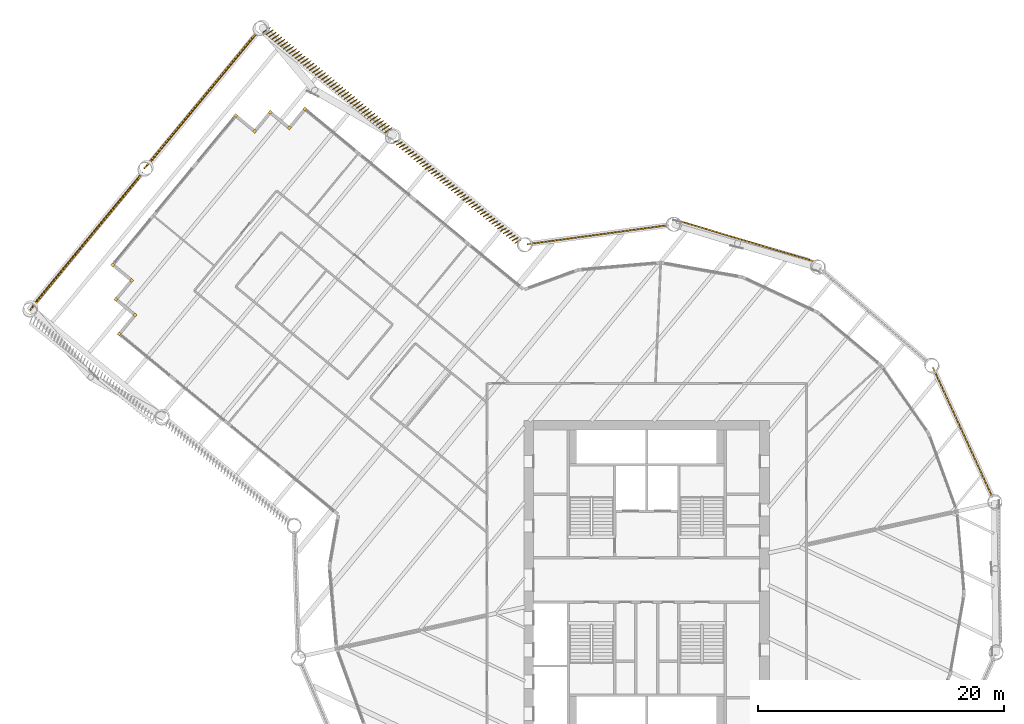
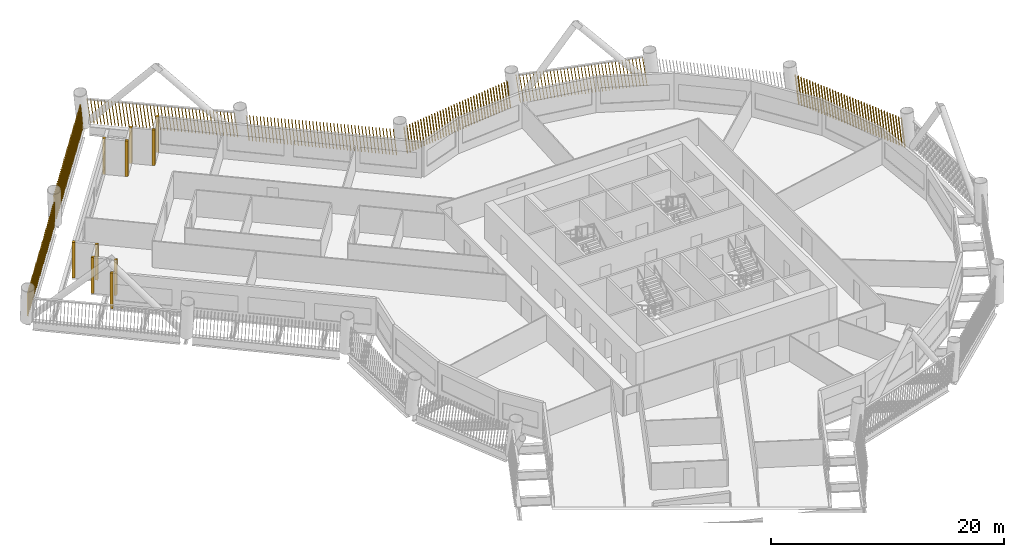
# One storey, part 20 of 22: 17 shading devices.
"""IFC4 building model written with IfcOpenShell, lengths in metres."""

from ifc_helpers import new_model, si_unit, direction, frame, frame_2d, origin, origin_2d, place, context, subcontext, project, spatial, rectangle, composite_profile, extrude, material, type_object, element, save


model = new_model("IFC4")

# Units and contexts
model_context = context("Model", 3, precision=1e-05, world=origin(), true_north=direction((0.0, 1.0)))
body_context = subcontext(model_context, "Body", "Model", "MODEL_VIEW")
ifc_project = project(units=[si_unit("LENGTHUNIT", "METRE"), si_unit("AREAUNIT", "SQUARE_METRE"), si_unit("VOLUMEUNIT", "CUBIC_METRE"), si_unit("PLANEANGLEUNIT", "RADIAN"), si_unit("MASSUNIT", "GRAM", prefix="KILO")], contexts=[model_context])

# Site, building, storey
site_placement = place(None, origin())
site = spatial("IfcSite", under=ifc_project, at=site_placement, CompositionType="ELEMENT")
building_placement = place(site_placement, origin())
building = spatial("IfcBuilding", under=site, at=building_placement, Name="Tarsis Ring Headquarters", CompositionType="ELEMENT")
storey_placement = place(building_placement, frame((0.0, 0.0, 108.39990234375)))
storey = spatial("IfcBuildingStorey", under=building, at=storey_placement, Name="L24", CompositionType="ELEMENT", Elevation=108.39990234375)

# Shading devices
ifc_material = material(Name="Terracotta baguette", Category="masonry")
shading_device_type_1 = type_object("IfcShadingDeviceType", Name="Terracotta baguette screen", PredefinedType="USERDEFINED", material=ifc_material)
shading_device_1_placement = place(storey_placement, frame((28.153564453125, 6.731689453125, 0.0), z_axis=(0.0, 0.0, 1.0), x_axis=(-0.41710255019, 0.908865979381, 0.0)))
element("IfcShadingDevice", 1, at=shading_device_1_placement, inside=storey, type_object=shading_device_type_1, Name="Baguette screen L24-11", ObjectType="Terracotta baguette screen", PredefinedType="USERDEFINED", context=body_context, shape_type="SweptSolid", body=[
    extrude(composite_profile([rectangle(XDim=0.06005859375, YDim=0.1201171875, at=frame_2d((0.030029296875, 0.0))), rectangle(XDim=0.06005859375, YDim=0.1201171875, at=frame_2d((0.33251953125, 0.0))), rectangle(XDim=0.06005859375, YDim=0.1201171875, at=frame_2d((0.634765625, 0.0))), rectangle(XDim=0.06005859375, YDim=0.1201171875, at=frame_2d((0.937255859375, 0.0))), rectangle(XDim=0.06005859375, YDim=0.1201171875, at=frame_2d((1.239501953125, 0.0))), rectangle(XDim=0.06005859375, YDim=0.1201171875, at=frame_2d((1.5419921875, 0.0))), rectangle(XDim=0.06005859375, YDim=0.1201171875, at=frame_2d((1.844482421875, 0.0))), rectangle(XDim=0.06005859375, YDim=0.1201171875, at=frame_2d((2.146728515625, 0.0))), rectangle(XDim=0.06005859375, YDim=0.1201171875, at=frame_2d((2.44921875, 0.0))), rectangle(XDim=0.06005859375, YDim=0.1201171875, at=frame_2d((2.751708984375, 0.0))), rectangle(XDim=0.06005859375, YDim=0.1201171875, at=frame_2d((3.053955078125, 0.0))), rectangle(XDim=0.06005859375, YDim=0.1201171875, at=frame_2d((3.3564453125, 0.0))), rectangle(XDim=0.06005859375, YDim=0.1201171875, at=frame_2d((3.65869140625, 0.0))), rectangle(XDim=0.06005859375, YDim=0.1201171875, at=frame_2d((3.961181640625, 0.0))), rectangle(XDim=0.06005859375, YDim=0.1201171875, at=frame_2d((4.263671875, 0.0))), rectangle(XDim=0.06005859375, YDim=0.1201171875, at=frame_2d((4.56591796875, 0.0))), rectangle(XDim=0.06005859375, YDim=0.1201171875, at=frame_2d((4.868408203125, 0.0))), rectangle(XDim=0.06005859375, YDim=0.1201171875, at=frame_2d((5.1708984375, 0.0))), rectangle(XDim=0.06005859375, YDim=0.1201171875, at=frame_2d((5.47314453125, 0.0))), rectangle(XDim=0.06005859375, YDim=0.1201171875, at=frame_2d((5.775634765625, 0.0))), rectangle(XDim=0.06005859375, YDim=0.1201171875, at=frame_2d((6.077880859375, 0.0))), rectangle(XDim=0.06005859375, YDim=0.1201171875, at=frame_2d((6.38037109375, 0.0))), rectangle(XDim=0.06005859375, YDim=0.1201171875, at=frame_2d((6.682861328125, 0.0))), rectangle(XDim=0.06005859375, YDim=0.1201171875, at=frame_2d((6.985107421875, 0.0))), rectangle(XDim=0.06005859375, YDim=0.1201171875, at=frame_2d((7.28759765625, 0.0))), rectangle(XDim=0.06005859375, YDim=0.1201171875, at=frame_2d((7.590087890625, 0.0))), rectangle(XDim=0.06005859375, YDim=0.1201171875, at=frame_2d((7.892333984375, 0.0))), rectangle(XDim=0.06005859375, YDim=0.1201171875, at=frame_2d((8.19482421875, 0.0))), rectangle(XDim=0.06005859375, YDim=0.1201171875, at=frame_2d((8.4970703125, 0.0))), rectangle(XDim=0.06005859375, YDim=0.1201171875, at=frame_2d((8.799560546875, 0.0))), rectangle(XDim=0.06005859375, YDim=0.1201171875, at=frame_2d((9.10205078125, 0.0))), rectangle(XDim=0.06005859375, YDim=0.1201171875, at=frame_2d((9.404296875, 0.0))), rectangle(XDim=0.06005859375, YDim=0.1201171875, at=frame_2d((9.706787109375, 0.0))), rectangle(XDim=0.06005859375, YDim=0.1201171875, at=frame_2d((10.00927734375, 0.0))), rectangle(XDim=0.06005859375, YDim=0.1201171875, at=frame_2d((10.3115234375, 0.0))), rectangle(XDim=0.06005859375, YDim=0.1201171875, at=frame_2d((10.614013671875, 0.0))), rectangle(XDim=0.06005859375, YDim=0.1201171875, at=frame_2d((10.916259765625, 0.0))), rectangle(XDim=0.06005859375, YDim=0.1201171875, at=frame_2d((11.21875, 0.0)))]), origin(), (0.129810734986, 0.000882686488, 0.991538397616), 2.977783203125),
])
shading_device_2_placement = place(storey_placement, frame((13.638427734375, 25.949462890625, 0.0), z_axis=(0.0, 0.0, 1.0), x_axis=(-0.958004167028, 0.286743640941, 0.0)))
element("IfcShadingDevice", 2, at=shading_device_2_placement, inside=storey, type_object=shading_device_type_1, Name="Baguette screen L24-13", ObjectType="Terracotta baguette screen", PredefinedType="USERDEFINED", context=body_context, shape_type="SweptSolid", body=[
    extrude(composite_profile([rectangle(XDim=0.06005859375, YDim=0.1201171875, at=frame_2d((0.030029296875, 0.0))), rectangle(XDim=0.06005859375, YDim=0.1201171875, at=frame_2d((0.33251953125, 0.0))), rectangle(XDim=0.06005859375, YDim=0.1201171875, at=frame_2d((0.634765625, 0.0))), rectangle(XDim=0.06005859375, YDim=0.1201171875, at=frame_2d((0.937255859375, 0.0))), rectangle(XDim=0.06005859375, YDim=0.1201171875, at=frame_2d((1.239501953125, 0.0))), rectangle(XDim=0.06005859375, YDim=0.1201171875, at=frame_2d((1.5419921875, 0.0))), rectangle(XDim=0.06005859375, YDim=0.1201171875, at=frame_2d((1.844482421875, 0.0))), rectangle(XDim=0.06005859375, YDim=0.1201171875, at=frame_2d((2.146728515625, 0.0))), rectangle(XDim=0.06005859375, YDim=0.1201171875, at=frame_2d((2.44921875, 0.0))), rectangle(XDim=0.06005859375, YDim=0.1201171875, at=frame_2d((2.751708984375, 0.0))), rectangle(XDim=0.06005859375, YDim=0.1201171875, at=frame_2d((3.053955078125, 0.0))), rectangle(XDim=0.06005859375, YDim=0.1201171875, at=frame_2d((3.3564453125, 0.0))), rectangle(XDim=0.06005859375, YDim=0.1201171875, at=frame_2d((3.65869140625, 0.0))), rectangle(XDim=0.06005859375, YDim=0.1201171875, at=frame_2d((3.961181640625, 0.0))), rectangle(XDim=0.06005859375, YDim=0.1201171875, at=frame_2d((4.263671875, 0.0))), rectangle(XDim=0.06005859375, YDim=0.1201171875, at=frame_2d((4.56591796875, 0.0))), rectangle(XDim=0.06005859375, YDim=0.1201171875, at=frame_2d((4.868408203125, 0.0))), rectangle(XDim=0.06005859375, YDim=0.1201171875, at=frame_2d((5.1708984375, 0.0))), rectangle(XDim=0.06005859375, YDim=0.1201171875, at=frame_2d((5.47314453125, 0.0))), rectangle(XDim=0.06005859375, YDim=0.1201171875, at=frame_2d((5.775634765625, 0.0))), rectangle(XDim=0.06005859375, YDim=0.1201171875, at=frame_2d((6.077880859375, 0.0))), rectangle(XDim=0.06005859375, YDim=0.1201171875, at=frame_2d((6.38037109375, 0.0))), rectangle(XDim=0.06005859375, YDim=0.1201171875, at=frame_2d((6.682861328125, 0.0))), rectangle(XDim=0.06005859375, YDim=0.1201171875, at=frame_2d((6.985107421875, 0.0))), rectangle(XDim=0.06005859375, YDim=0.1201171875, at=frame_2d((7.28759765625, 0.0))), rectangle(XDim=0.06005859375, YDim=0.1201171875, at=frame_2d((7.590087890625, 0.0))), rectangle(XDim=0.06005859375, YDim=0.1201171875, at=frame_2d((7.892333984375, 0.0))), rectangle(XDim=0.06005859375, YDim=0.1201171875, at=frame_2d((8.19482421875, 0.0))), rectangle(XDim=0.06005859375, YDim=0.1201171875, at=frame_2d((8.4970703125, 0.0))), rectangle(XDim=0.06005859375, YDim=0.1201171875, at=frame_2d((8.799560546875, 0.0))), rectangle(XDim=0.06005859375, YDim=0.1201171875, at=frame_2d((9.10205078125, 0.0))), rectangle(XDim=0.06005859375, YDim=0.1201171875, at=frame_2d((9.404296875, 0.0))), rectangle(XDim=0.06005859375, YDim=0.1201171875, at=frame_2d((9.706787109375, 0.0))), rectangle(XDim=0.06005859375, YDim=0.1201171875, at=frame_2d((10.00927734375, 0.0))), rectangle(XDim=0.06005859375, YDim=0.1201171875, at=frame_2d((10.3115234375, 0.0))), rectangle(XDim=0.06005859375, YDim=0.1201171875, at=frame_2d((10.614013671875, 0.0))), rectangle(XDim=0.06005859375, YDim=0.1201171875, at=frame_2d((10.916259765625, 0.0))), rectangle(XDim=0.06005859375, YDim=0.1201171875, at=frame_2d((11.21875, 0.0)))]), origin(), (0.131494518158, 0.000893553069, 0.991316494999), 2.978515625),
])
shading_device_3_placement = place(storey_placement, frame((1.77978515625, 28.892333984375, 0.0), z_axis=(0.0, 0.0, 1.0), x_axis=(-0.991036353771, -0.133608247423, 0.0)))
element("IfcShadingDevice", 3, at=shading_device_3_placement, inside=storey, type_object=shading_device_type_1, Name="Baguette screen L24-14", ObjectType="Terracotta baguette screen", PredefinedType="USERDEFINED", context=body_context, shape_type="SweptSolid", body=[
    extrude(composite_profile([rectangle(XDim=0.06005859375, YDim=0.1201171875, at=frame_2d((0.030029296875, 0.0))), rectangle(XDim=0.06005859375, YDim=0.1201171875, at=frame_2d((0.33251953125, 0.0))), rectangle(XDim=0.06005859375, YDim=0.1201171875, at=frame_2d((0.634765625, 0.0))), rectangle(XDim=0.06005859375, YDim=0.1201171875, at=frame_2d((0.937255859375, 0.0))), rectangle(XDim=0.06005859375, YDim=0.1201171875, at=frame_2d((1.239501953125, 0.0))), rectangle(XDim=0.06005859375, YDim=0.1201171875, at=frame_2d((1.5419921875, 0.0))), rectangle(XDim=0.06005859375, YDim=0.1201171875, at=frame_2d((1.844482421875, 0.0))), rectangle(XDim=0.06005859375, YDim=0.1201171875, at=frame_2d((2.146728515625, 0.0))), rectangle(XDim=0.06005859375, YDim=0.1201171875, at=frame_2d((2.44921875, 0.0))), rectangle(XDim=0.06005859375, YDim=0.1201171875, at=frame_2d((2.751708984375, 0.0))), rectangle(XDim=0.06005859375, YDim=0.1201171875, at=frame_2d((3.053955078125, 0.0))), rectangle(XDim=0.06005859375, YDim=0.1201171875, at=frame_2d((3.3564453125, 0.0))), rectangle(XDim=0.06005859375, YDim=0.1201171875, at=frame_2d((3.65869140625, 0.0))), rectangle(XDim=0.06005859375, YDim=0.1201171875, at=frame_2d((3.961181640625, 0.0))), rectangle(XDim=0.06005859375, YDim=0.1201171875, at=frame_2d((4.263671875, 0.0))), rectangle(XDim=0.06005859375, YDim=0.1201171875, at=frame_2d((4.56591796875, 0.0))), rectangle(XDim=0.06005859375, YDim=0.1201171875, at=frame_2d((4.868408203125, 0.0))), rectangle(XDim=0.06005859375, YDim=0.1201171875, at=frame_2d((5.1708984375, 0.0))), rectangle(XDim=0.06005859375, YDim=0.1201171875, at=frame_2d((5.47314453125, 0.0))), rectangle(XDim=0.06005859375, YDim=0.1201171875, at=frame_2d((5.775634765625, 0.0))), rectangle(XDim=0.06005859375, YDim=0.1201171875, at=frame_2d((6.077880859375, 0.0))), rectangle(XDim=0.06005859375, YDim=0.1201171875, at=frame_2d((6.38037109375, 0.0))), rectangle(XDim=0.06005859375, YDim=0.1201171875, at=frame_2d((6.682861328125, 0.0))), rectangle(XDim=0.06005859375, YDim=0.1201171875, at=frame_2d((6.985107421875, 0.0))), rectangle(XDim=0.06005859375, YDim=0.1201171875, at=frame_2d((7.28759765625, 0.0))), rectangle(XDim=0.06005859375, YDim=0.1201171875, at=frame_2d((7.590087890625, 0.0))), rectangle(XDim=0.06005859375, YDim=0.1201171875, at=frame_2d((7.892333984375, 0.0))), rectangle(XDim=0.06005859375, YDim=0.1201171875, at=frame_2d((8.19482421875, 0.0))), rectangle(XDim=0.06005859375, YDim=0.1201171875, at=frame_2d((8.4970703125, 0.0))), rectangle(XDim=0.06005859375, YDim=0.1201171875, at=frame_2d((8.799560546875, 0.0))), rectangle(XDim=0.06005859375, YDim=0.1201171875, at=frame_2d((9.10205078125, 0.0))), rectangle(XDim=0.06005859375, YDim=0.1201171875, at=frame_2d((9.404296875, 0.0))), rectangle(XDim=0.06005859375, YDim=0.1201171875, at=frame_2d((9.706787109375, 0.0))), rectangle(XDim=0.06005859375, YDim=0.1201171875, at=frame_2d((10.00927734375, 0.0))), rectangle(XDim=0.06005859375, YDim=0.1201171875, at=frame_2d((10.3115234375, 0.0))), rectangle(XDim=0.06005859375, YDim=0.1201171875, at=frame_2d((10.614013671875, 0.0))), rectangle(XDim=0.06005859375, YDim=0.1201171875, at=frame_2d((10.916259765625, 0.0))), rectangle(XDim=0.06005859375, YDim=0.1201171875, at=frame_2d((11.21875, 0.0)))]), origin(), (0.129810338344, 0.000884904286, 0.991538447567), 2.977783203125),
])
shading_device_4_placement = place(storey_placement, frame((-10.249267578125, 27.640869140625, 0.0), z_axis=(0.0, 0.0, 1.0), x_axis=(-0.771415595966, 0.636346434045, 0.0)))
element("IfcShadingDevice", 4, at=shading_device_4_placement, inside=storey, type_object=shading_device_type_1, Name="Baguette screen L24-15", ObjectType="Terracotta baguette screen", PredefinedType="USERDEFINED", context=body_context, shape_type="SweptSolid", body=[
    extrude(composite_profile([rectangle(XDim=0.06005859375, YDim=0.1201171875, at=frame_2d((0.030029296875, 0.0))), rectangle(XDim=0.06005859375, YDim=0.1201171875, at=frame_2d((0.335693359375, 0.0))), rectangle(XDim=0.06005859375, YDim=0.1201171875, at=frame_2d((0.6416015625, 0.0))), rectangle(XDim=0.06005859375, YDim=0.1201171875, at=frame_2d((0.947265625, 0.0))), rectangle(XDim=0.06005859375, YDim=0.1201171875, at=frame_2d((1.253173828125, 0.0))), rectangle(XDim=0.06005859375, YDim=0.1201171875, at=frame_2d((1.558837890625, 0.0))), rectangle(XDim=0.06005859375, YDim=0.1201171875, at=frame_2d((1.864501953125, 0.0))), rectangle(XDim=0.06005859375, YDim=0.1201171875, at=frame_2d((2.17041015625, 0.0))), rectangle(XDim=0.06005859375, YDim=0.1201171875, at=frame_2d((2.47607421875, 0.0))), rectangle(XDim=0.06005859375, YDim=0.1201171875, at=frame_2d((2.781982421875, 0.0))), rectangle(XDim=0.06005859375, YDim=0.1201171875, at=frame_2d((3.087646484375, 0.0))), rectangle(XDim=0.06005859375, YDim=0.1201171875, at=frame_2d((3.393310546875, 0.0))), rectangle(XDim=0.06005859375, YDim=0.1201171875, at=frame_2d((3.69921875, 0.0))), rectangle(XDim=0.06005859375, YDim=0.1201171875, at=frame_2d((4.0048828125, 0.0))), rectangle(XDim=0.06005859375, YDim=0.1201171875, at=frame_2d((4.310791015625, 0.0))), rectangle(XDim=0.06005859375, YDim=0.1201171875, at=frame_2d((4.616455078125, 0.0))), rectangle(XDim=0.06005859375, YDim=0.1201171875, at=frame_2d((4.922119140625, 0.0))), rectangle(XDim=0.06005859375, YDim=0.1201171875, at=frame_2d((5.22802734375, 0.0))), rectangle(XDim=0.06005859375, YDim=0.1201171875, at=frame_2d((5.53369140625, 0.0))), rectangle(XDim=0.06005859375, YDim=0.1201171875, at=frame_2d((5.839599609375, 0.0))), rectangle(XDim=0.06005859375, YDim=0.1201171875, at=frame_2d((6.145263671875, 0.0))), rectangle(XDim=0.06005859375, YDim=0.1201171875, at=frame_2d((6.451171875, 0.0))), rectangle(XDim=0.06005859375, YDim=0.1201171875, at=frame_2d((6.7568359375, 0.0))), rectangle(XDim=0.06005859375, YDim=0.1201171875, at=frame_2d((7.0625, 0.0))), rectangle(XDim=0.06005859375, YDim=0.1201171875, at=frame_2d((7.368408203125, 0.0))), rectangle(XDim=0.06005859375, YDim=0.1201171875, at=frame_2d((7.674072265625, 0.0))), rectangle(XDim=0.06005859375, YDim=0.1201171875, at=frame_2d((7.97998046875, 0.0))), rectangle(XDim=0.06005859375, YDim=0.1201171875, at=frame_2d((8.28564453125, 0.0))), rectangle(XDim=0.06005859375, YDim=0.1201171875, at=frame_2d((8.59130859375, 0.0))), rectangle(XDim=0.06005859375, YDim=0.1201171875, at=frame_2d((8.897216796875, 0.0))), rectangle(XDim=0.06005859375, YDim=0.1201171875, at=frame_2d((9.202880859375, 0.0))), rectangle(XDim=0.06005859375, YDim=0.1201171875, at=frame_2d((9.5087890625, 0.0))), rectangle(XDim=0.06005859375, YDim=0.1201171875, at=frame_2d((9.814453125, 0.0))), rectangle(XDim=0.06005859375, YDim=0.1201171875, at=frame_2d((10.1201171875, 0.0))), rectangle(XDim=0.06005859375, YDim=0.1201171875, at=frame_2d((10.426025390625, 0.0))), rectangle(XDim=0.06005859375, YDim=0.1201171875, at=frame_2d((10.731689453125, 0.0))), rectangle(XDim=0.06005859375, YDim=0.1201171875, at=frame_2d((11.03759765625, 0.0))), rectangle(XDim=0.06005859375, YDim=0.1201171875, at=frame_2d((11.34326171875, 0.0))), rectangle(XDim=0.06005859375, YDim=0.1201171875, at=frame_2d((11.64892578125, 0.0))), rectangle(XDim=0.06005859375, YDim=0.1201171875, at=frame_2d((11.954833984375, 0.0))), rectangle(XDim=0.06005859375, YDim=0.1201171875, at=frame_2d((12.260498046875, 0.0))), rectangle(XDim=0.06005859375, YDim=0.1201171875, at=frame_2d((12.56640625, 0.0))), rectangle(XDim=0.06005859375, YDim=0.1201171875, at=frame_2d((12.8720703125, 0.0)))]), origin(), (0.066366190107, 0.145846100306, 0.98707874247), 2.9912109375),
])
shading_device_5_placement = place(storey_placement, frame((-20.73486328125, 36.776611328125, 0.0), z_axis=(0.0, 0.0, 1.0), x_axis=(-0.771400999092, 0.636353315168, 0.0)))
element("IfcShadingDevice", 5, at=shading_device_5_placement, inside=storey, type_object=shading_device_type_1, Name="Baguette screen L24-16", ObjectType="Terracotta baguette screen", PredefinedType="USERDEFINED", context=body_context, shape_type="SweptSolid", body=[
    extrude(composite_profile([rectangle(XDim=0.06005859375, YDim=0.1201171875, at=frame_2d((0.030029296875, 0.0))), rectangle(XDim=0.06005859375, YDim=0.1201171875, at=frame_2d((0.335693359375, 0.0))), rectangle(XDim=0.06005859375, YDim=0.1201171875, at=frame_2d((0.6416015625, 0.0))), rectangle(XDim=0.06005859375, YDim=0.1201171875, at=frame_2d((0.947265625, 0.0))), rectangle(XDim=0.06005859375, YDim=0.1201171875, at=frame_2d((1.253173828125, 0.0))), rectangle(XDim=0.06005859375, YDim=0.1201171875, at=frame_2d((1.558837890625, 0.0))), rectangle(XDim=0.06005859375, YDim=0.1201171875, at=frame_2d((1.864501953125, 0.0))), rectangle(XDim=0.06005859375, YDim=0.1201171875, at=frame_2d((2.17041015625, 0.0))), rectangle(XDim=0.06005859375, YDim=0.1201171875, at=frame_2d((2.47607421875, 0.0))), rectangle(XDim=0.06005859375, YDim=0.1201171875, at=frame_2d((2.781982421875, 0.0))), rectangle(XDim=0.06005859375, YDim=0.1201171875, at=frame_2d((3.087646484375, 0.0))), rectangle(XDim=0.06005859375, YDim=0.1201171875, at=frame_2d((3.393310546875, 0.0))), rectangle(XDim=0.06005859375, YDim=0.1201171875, at=frame_2d((3.69921875, 0.0))), rectangle(XDim=0.06005859375, YDim=0.1201171875, at=frame_2d((4.0048828125, 0.0))), rectangle(XDim=0.06005859375, YDim=0.1201171875, at=frame_2d((4.310791015625, 0.0))), rectangle(XDim=0.06005859375, YDim=0.1201171875, at=frame_2d((4.616455078125, 0.0))), rectangle(XDim=0.06005859375, YDim=0.1201171875, at=frame_2d((4.922119140625, 0.0))), rectangle(XDim=0.06005859375, YDim=0.1201171875, at=frame_2d((5.22802734375, 0.0))), rectangle(XDim=0.06005859375, YDim=0.1201171875, at=frame_2d((5.53369140625, 0.0))), rectangle(XDim=0.06005859375, YDim=0.1201171875, at=frame_2d((5.839599609375, 0.0))), rectangle(XDim=0.06005859375, YDim=0.1201171875, at=frame_2d((6.145263671875, 0.0))), rectangle(XDim=0.06005859375, YDim=0.1201171875, at=frame_2d((6.451171875, 0.0))), rectangle(XDim=0.06005859375, YDim=0.1201171875, at=frame_2d((6.7568359375, 0.0))), rectangle(XDim=0.06005859375, YDim=0.1201171875, at=frame_2d((7.0625, 0.0))), rectangle(XDim=0.06005859375, YDim=0.1201171875, at=frame_2d((7.368408203125, 0.0))), rectangle(XDim=0.06005859375, YDim=0.1201171875, at=frame_2d((7.674072265625, 0.0))), rectangle(XDim=0.06005859375, YDim=0.1201171875, at=frame_2d((7.97998046875, 0.0))), rectangle(XDim=0.06005859375, YDim=0.1201171875, at=frame_2d((8.28564453125, 0.0))), rectangle(XDim=0.06005859375, YDim=0.1201171875, at=frame_2d((8.59130859375, 0.0))), rectangle(XDim=0.06005859375, YDim=0.1201171875, at=frame_2d((8.897216796875, 0.0))), rectangle(XDim=0.06005859375, YDim=0.1201171875, at=frame_2d((9.202880859375, 0.0))), rectangle(XDim=0.06005859375, YDim=0.1201171875, at=frame_2d((9.5087890625, 0.0))), rectangle(XDim=0.06005859375, YDim=0.1201171875, at=frame_2d((9.814453125, 0.0))), rectangle(XDim=0.06005859375, YDim=0.1201171875, at=frame_2d((10.1201171875, 0.0))), rectangle(XDim=0.06005859375, YDim=0.1201171875, at=frame_2d((10.426025390625, 0.0))), rectangle(XDim=0.06005859375, YDim=0.1201171875, at=frame_2d((10.731689453125, 0.0))), rectangle(XDim=0.06005859375, YDim=0.1201171875, at=frame_2d((11.03759765625, 0.0))), rectangle(XDim=0.06005859375, YDim=0.1201171875, at=frame_2d((11.34326171875, 0.0))), rectangle(XDim=0.06005859375, YDim=0.1201171875, at=frame_2d((11.64892578125, 0.0))), rectangle(XDim=0.06005859375, YDim=0.1201171875, at=frame_2d((11.954833984375, 0.0))), rectangle(XDim=0.06005859375, YDim=0.1201171875, at=frame_2d((12.260498046875, 0.0))), rectangle(XDim=0.06005859375, YDim=0.1201171875, at=frame_2d((12.56640625, 0.0))), rectangle(XDim=0.06005859375, YDim=0.1201171875, at=frame_2d((12.8720703125, 0.0)))]), origin(), (0.066886612393, 0.206799125314, 0.976094412878), 3.02490234375),
])
shading_device_6_placement = place(storey_placement, frame((-31.63037109375, 44.630126953125, 0.0), z_axis=(0.0, 0.0, 1.0), x_axis=(-0.636349161418, -0.771406836034, 0.0)))
element("IfcShadingDevice", 6, at=shading_device_6_placement, inside=storey, type_object=shading_device_type_1, Name="Baguette screen L24-17", ObjectType="Terracotta baguette screen", PredefinedType="USERDEFINED", context=body_context, shape_type="SweptSolid", body=[
    extrude(composite_profile([rectangle(XDim=0.06005859375, YDim=0.1201171875, at=frame_2d((0.030029296875, 0.0))), rectangle(XDim=0.06005859375, YDim=0.1201171875, at=frame_2d((0.33544921875, 0.0))), rectangle(XDim=0.06005859375, YDim=0.1201171875, at=frame_2d((0.640625, 0.0))), rectangle(XDim=0.06005859375, YDim=0.1201171875, at=frame_2d((0.946044921875, 0.0))), rectangle(XDim=0.06005859375, YDim=0.1201171875, at=frame_2d((1.25146484375, 0.0))), rectangle(XDim=0.06005859375, YDim=0.1201171875, at=frame_2d((1.556640625, 0.0))), rectangle(XDim=0.06005859375, YDim=0.1201171875, at=frame_2d((1.862060546875, 0.0))), rectangle(XDim=0.06005859375, YDim=0.1201171875, at=frame_2d((2.16748046875, 0.0))), rectangle(XDim=0.06005859375, YDim=0.1201171875, at=frame_2d((2.47265625, 0.0))), rectangle(XDim=0.06005859375, YDim=0.1201171875, at=frame_2d((2.778076171875, 0.0))), rectangle(XDim=0.06005859375, YDim=0.1201171875, at=frame_2d((3.08349609375, 0.0))), rectangle(XDim=0.06005859375, YDim=0.1201171875, at=frame_2d((3.388671875, 0.0))), rectangle(XDim=0.06005859375, YDim=0.1201171875, at=frame_2d((3.694091796875, 0.0))), rectangle(XDim=0.06005859375, YDim=0.1201171875, at=frame_2d((3.99951171875, 0.0))), rectangle(XDim=0.06005859375, YDim=0.1201171875, at=frame_2d((4.3046875, 0.0))), rectangle(XDim=0.06005859375, YDim=0.1201171875, at=frame_2d((4.610107421875, 0.0))), rectangle(XDim=0.06005859375, YDim=0.1201171875, at=frame_2d((4.91552734375, 0.0))), rectangle(XDim=0.06005859375, YDim=0.1201171875, at=frame_2d((5.220703125, 0.0))), rectangle(XDim=0.06005859375, YDim=0.1201171875, at=frame_2d((5.526123046875, 0.0))), rectangle(XDim=0.06005859375, YDim=0.1201171875, at=frame_2d((5.83154296875, 0.0))), rectangle(XDim=0.06005859375, YDim=0.1201171875, at=frame_2d((6.13671875, 0.0))), rectangle(XDim=0.06005859375, YDim=0.1201171875, at=frame_2d((6.442138671875, 0.0))), rectangle(XDim=0.06005859375, YDim=0.1201171875, at=frame_2d((6.74755859375, 0.0))), rectangle(XDim=0.06005859375, YDim=0.1201171875, at=frame_2d((7.052734375, 0.0))), rectangle(XDim=0.06005859375, YDim=0.1201171875, at=frame_2d((7.358154296875, 0.0))), rectangle(XDim=0.06005859375, YDim=0.1201171875, at=frame_2d((7.66357421875, 0.0))), rectangle(XDim=0.06005859375, YDim=0.1201171875, at=frame_2d((7.96875, 0.0))), rectangle(XDim=0.06005859375, YDim=0.1201171875, at=frame_2d((8.274169921875, 0.0))), rectangle(XDim=0.06005859375, YDim=0.1201171875, at=frame_2d((8.57958984375, 0.0))), rectangle(XDim=0.06005859375, YDim=0.1201171875, at=frame_2d((8.884765625, 0.0))), rectangle(XDim=0.06005859375, YDim=0.1201171875, at=frame_2d((9.190185546875, 0.0))), rectangle(XDim=0.06005859375, YDim=0.1201171875, at=frame_2d((9.49560546875, 0.0))), rectangle(XDim=0.06005859375, YDim=0.1201171875, at=frame_2d((9.80078125, 0.0))), rectangle(XDim=0.06005859375, YDim=0.1201171875, at=frame_2d((10.106201171875, 0.0))), rectangle(XDim=0.06005859375, YDim=0.1201171875, at=frame_2d((10.41162109375, 0.0))), rectangle(XDim=0.06005859375, YDim=0.1201171875, at=frame_2d((10.716796875, 0.0))), rectangle(XDim=0.06005859375, YDim=0.1201171875, at=frame_2d((11.022216796875, 0.0))), rectangle(XDim=0.06005859375, YDim=0.1201171875, at=frame_2d((11.32763671875, 0.0))), rectangle(XDim=0.06005859375, YDim=0.1201171875, at=frame_2d((11.6328125, 0.0))), rectangle(XDim=0.06005859375, YDim=0.1201171875, at=frame_2d((11.938232421875, 0.0))), rectangle(XDim=0.06005859375, YDim=0.1201171875, at=frame_2d((12.24365234375, 0.0))), rectangle(XDim=0.06005859375, YDim=0.1201171875, at=frame_2d((12.548828125, 0.0))), rectangle(XDim=0.06005859375, YDim=0.1201171875, at=frame_2d((12.854248046875, 0.0))), rectangle(XDim=0.06005859375, YDim=0.1201171875, at=frame_2d((13.15966796875, 0.0))), rectangle(XDim=0.06005859375, YDim=0.1201171875, at=frame_2d((13.46484375, 0.0))), rectangle(XDim=0.06005859375, YDim=0.1201171875, at=frame_2d((13.770263671875, 0.0)))]), origin(), (0.236623694404, -0.03152284648, 0.971089870917), 3.04052734375),
])
shading_device_7_placement = place(storey_placement, frame((-41.04833984375, 33.21337890625, 0.0), z_axis=(0.0, 0.0, 1.0), x_axis=(-0.636349161418, -0.771406836034, 0.0)))
element("IfcShadingDevice", 7, at=shading_device_7_placement, inside=storey, type_object=shading_device_type_1, Name="Baguette screen L24-18", ObjectType="Terracotta baguette screen", PredefinedType="USERDEFINED", context=body_context, shape_type="SweptSolid", body=[
    extrude(composite_profile([rectangle(XDim=0.06005859375, YDim=0.1201171875, at=frame_2d((0.030029296875, 0.0))), rectangle(XDim=0.06005859375, YDim=0.1201171875, at=frame_2d((0.33544921875, 0.0))), rectangle(XDim=0.06005859375, YDim=0.1201171875, at=frame_2d((0.640625, 0.0))), rectangle(XDim=0.06005859375, YDim=0.1201171875, at=frame_2d((0.946044921875, 0.0))), rectangle(XDim=0.06005859375, YDim=0.1201171875, at=frame_2d((1.25146484375, 0.0))), rectangle(XDim=0.06005859375, YDim=0.1201171875, at=frame_2d((1.556640625, 0.0))), rectangle(XDim=0.06005859375, YDim=0.1201171875, at=frame_2d((1.862060546875, 0.0))), rectangle(XDim=0.06005859375, YDim=0.1201171875, at=frame_2d((2.16748046875, 0.0))), rectangle(XDim=0.06005859375, YDim=0.1201171875, at=frame_2d((2.47265625, 0.0))), rectangle(XDim=0.06005859375, YDim=0.1201171875, at=frame_2d((2.778076171875, 0.0))), rectangle(XDim=0.06005859375, YDim=0.1201171875, at=frame_2d((3.08349609375, 0.0))), rectangle(XDim=0.06005859375, YDim=0.1201171875, at=frame_2d((3.388671875, 0.0))), rectangle(XDim=0.06005859375, YDim=0.1201171875, at=frame_2d((3.694091796875, 0.0))), rectangle(XDim=0.06005859375, YDim=0.1201171875, at=frame_2d((3.99951171875, 0.0))), rectangle(XDim=0.06005859375, YDim=0.1201171875, at=frame_2d((4.3046875, 0.0))), rectangle(XDim=0.06005859375, YDim=0.1201171875, at=frame_2d((4.610107421875, 0.0))), rectangle(XDim=0.06005859375, YDim=0.1201171875, at=frame_2d((4.91552734375, 0.0))), rectangle(XDim=0.06005859375, YDim=0.1201171875, at=frame_2d((5.220703125, 0.0))), rectangle(XDim=0.06005859375, YDim=0.1201171875, at=frame_2d((5.526123046875, 0.0))), rectangle(XDim=0.06005859375, YDim=0.1201171875, at=frame_2d((5.83154296875, 0.0))), rectangle(XDim=0.06005859375, YDim=0.1201171875, at=frame_2d((6.13671875, 0.0))), rectangle(XDim=0.06005859375, YDim=0.1201171875, at=frame_2d((6.442138671875, 0.0))), rectangle(XDim=0.06005859375, YDim=0.1201171875, at=frame_2d((6.74755859375, 0.0))), rectangle(XDim=0.06005859375, YDim=0.1201171875, at=frame_2d((7.052734375, 0.0))), rectangle(XDim=0.06005859375, YDim=0.1201171875, at=frame_2d((7.358154296875, 0.0))), rectangle(XDim=0.06005859375, YDim=0.1201171875, at=frame_2d((7.66357421875, 0.0))), rectangle(XDim=0.06005859375, YDim=0.1201171875, at=frame_2d((7.96875, 0.0))), rectangle(XDim=0.06005859375, YDim=0.1201171875, at=frame_2d((8.274169921875, 0.0))), rectangle(XDim=0.06005859375, YDim=0.1201171875, at=frame_2d((8.57958984375, 0.0))), rectangle(XDim=0.06005859375, YDim=0.1201171875, at=frame_2d((8.884765625, 0.0))), rectangle(XDim=0.06005859375, YDim=0.1201171875, at=frame_2d((9.190185546875, 0.0))), rectangle(XDim=0.06005859375, YDim=0.1201171875, at=frame_2d((9.49560546875, 0.0))), rectangle(XDim=0.06005859375, YDim=0.1201171875, at=frame_2d((9.80078125, 0.0))), rectangle(XDim=0.06005859375, YDim=0.1201171875, at=frame_2d((10.106201171875, 0.0))), rectangle(XDim=0.06005859375, YDim=0.1201171875, at=frame_2d((10.41162109375, 0.0))), rectangle(XDim=0.06005859375, YDim=0.1201171875, at=frame_2d((10.716796875, 0.0))), rectangle(XDim=0.06005859375, YDim=0.1201171875, at=frame_2d((11.022216796875, 0.0))), rectangle(XDim=0.06005859375, YDim=0.1201171875, at=frame_2d((11.32763671875, 0.0))), rectangle(XDim=0.06005859375, YDim=0.1201171875, at=frame_2d((11.6328125, 0.0))), rectangle(XDim=0.06005859375, YDim=0.1201171875, at=frame_2d((11.938232421875, 0.0))), rectangle(XDim=0.06005859375, YDim=0.1201171875, at=frame_2d((12.24365234375, 0.0))), rectangle(XDim=0.06005859375, YDim=0.1201171875, at=frame_2d((12.548828125, 0.0))), rectangle(XDim=0.06005859375, YDim=0.1201171875, at=frame_2d((12.854248046875, 0.0))), rectangle(XDim=0.06005859375, YDim=0.1201171875, at=frame_2d((13.15966796875, 0.0))), rectangle(XDim=0.06005859375, YDim=0.1201171875, at=frame_2d((13.46484375, 0.0))), rectangle(XDim=0.06005859375, YDim=0.1201171875, at=frame_2d((13.770263671875, 0.0)))]), origin(), (0.236172503236, 0.034740573432, 0.971089924401), 3.04052734375),
])
shading_device_type_2 = type_object("IfcShadingDeviceType", Name="Terracotta corner baguette 250x250", PredefinedType="USERDEFINED", material=ifc_material)
for number, where, z_axis, x_axis, name in (
    (8, (-42.94482421875, 20.031982421875, 0.0), (0.0, 0.0, 1.0), (-0.636347812045, -0.771402269964, 0.0), "Corner baguette L24-01"),
    (9, (-27.83154296875, 38.352783203125, 0.0), (0.0, 0.0, 1.0), (-0.771402514304, 0.636347515848, 0.0), "Corner baguette L24-32"),
    (10, (-29.104248046875, 36.81005859375, 0.0), (0.0, 0.0, 1.0), (-0.636347219651, -0.771402758643, 0.0), "Corner baguette L24-33"),
    (11, (-30.64697265625, 38.082763671875, 0.0), (0.0, 0.0, 1.0), (-0.771402469878, 0.636347569702, 0.0), "Corner baguette L24-34"),
    (12, (-31.919677734375, 36.5400390625, 0.0), (0.0, 0.0, 1.0), (-0.636347273505, -0.771402714218, 0.0), "Corner baguette L24-35"),
    (13, (-33.46240234375, 37.812744140625, 0.0), (0.0, 0.0, 1.0), (-0.771402514304, 0.636347515848, 0.0), "Corner baguette L24-36"),
    (14, (-43.48486328125, 25.6630859375, 0.0), (0.0, 0.0, 1.0), (-0.636347583166, -0.771402458772, 0.0), "Corner baguette L24-37"),
    (15, (-41.942138671875, 24.390380859375, 0.0), (0.0, 0.0, 1.0), (0.771402469878, -0.636347569702, 0.0), "Corner baguette L24-38"),
    (16, (-43.21484375, 22.84765625, 0.0), (0.0, 0.0, 1.0), (-0.636347515848, -0.771402514304, 0.0), "Corner baguette L24-39"),
    (17, (-41.672119140625, 21.574951171875, 0.0), (0.0, 0.0, 1.0), (0.771402514304, -0.636347515848, 0.0), "Corner baguette L24-40"),
):
    element("IfcShadingDevice", number, at=place(storey_placement, frame(where, z_axis=z_axis, x_axis=x_axis)), inside=storey, type_object=shading_device_type_2, Name=name, ObjectType="Terracotta corner baguette", PredefinedType="USERDEFINED", context=body_context, shape_type="SweptSolid", body=[
        extrude(rectangle(XDim=0.25, YDim=0.25, at=origin_2d()), origin(), (0.0, 0.0, 1.0), 3.739990234375),
    ])

save(model, "model.ifc")
